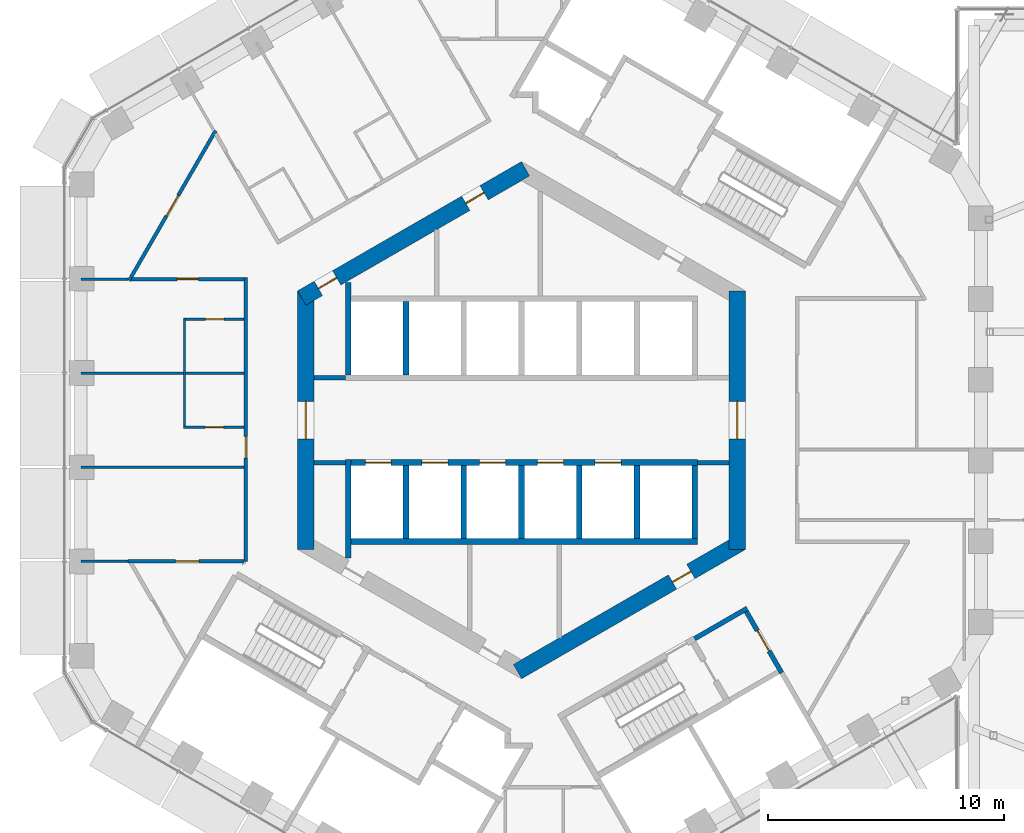
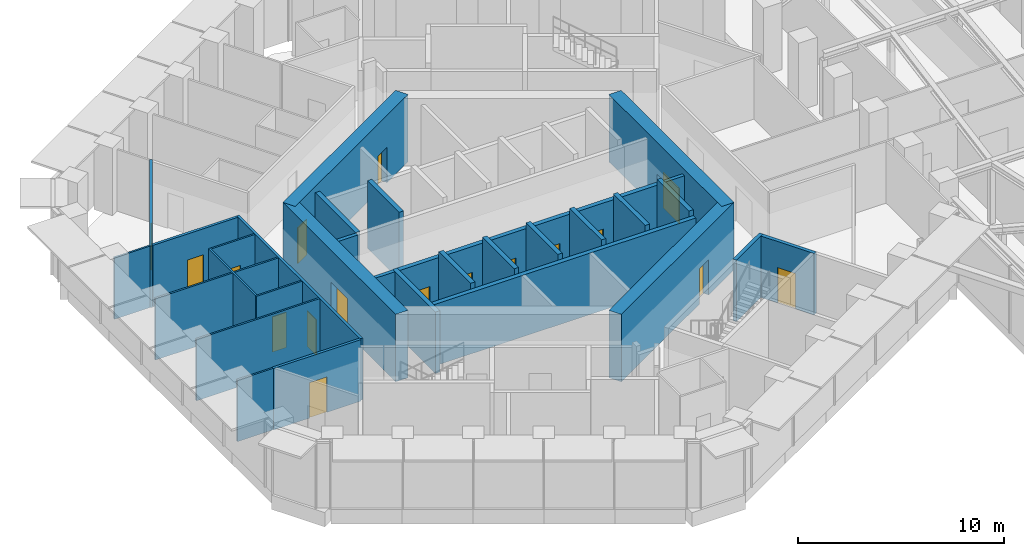
# One storey, part 17 of 24: 31 walls, 17 doors, 17 openings.
"""IFC4 building model written with IfcOpenShell, lengths in metres."""

from ifc_helpers import new_model, si_unit, direction, frame, frame_2d, origin, place, context, subcontext, project, spatial, rectangle, extrude, material, layer, layer_set, type_object, element, fill, save


model = new_model("IFC4")

# Units and contexts
model_context = context("Model", 3, precision=1e-05, world=origin(), true_north=direction((0.0, 1.0)))
body_context = subcontext(model_context, "Body", "Model", "MODEL_VIEW")
ifc_project = project(units=[si_unit("LENGTHUNIT", "METRE"), si_unit("AREAUNIT", "SQUARE_METRE"), si_unit("VOLUMEUNIT", "CUBIC_METRE"), si_unit("PLANEANGLEUNIT", "RADIAN"), si_unit("MASSUNIT", "GRAM", prefix="KILO")], contexts=[model_context])

# Site, building, storey
site_placement = place(None, origin())
site = spatial("IfcSite", under=ifc_project, at=site_placement, CompositionType="ELEMENT")
building_placement = place(site_placement, origin())
building = spatial("IfcBuilding", under=site, at=building_placement, Name="Ayvan Gate Tower", CompositionType="ELEMENT")
storey_placement = place(building_placement, frame((0.0, 0.0, 128.5)))
storey = spatial("IfcBuildingStorey", under=building, at=storey_placement, Name="L34", CompositionType="ELEMENT", Elevation=128.5)

# Wall, opening, door
ifc_material_1 = material(Name="Concrete C70/85", Category="concrete")
ifc_layer_1 = layer(ifc_material_1, 0.699951171875)
ifc_layer_set_1 = layer_set([ifc_layer_1], Name="Concrete C70/85")
wall_type_1 = type_object("IfcWallType", Name="Core wall 700 C70/85", PredefinedType="SHEAR", material=ifc_layer_set_1)
wall_1_placement = place(storey_placement, frame((9.14990234375, -5.48486328125, 0.0), z_axis=(0.0, 0.0, 1.0), x_axis=(0.0, 1.0, 0.0)))
wall_1 = element("IfcWall", 1, at=wall_1_placement, inside=storey, type_object=wall_type_1, Name="CORE-L34-0", PredefinedType="SHEAR", context=body_context, shape_type="SweptSolid", body=[
    extrude(rectangle(XDim=10.9697265625, YDim=0.699951171875, at=frame_2d((5.48486328125, 0.0))), origin(), (0.0, 0.0, 1.0), 4.0),
])
opening_1_placement = place(wall_1_placement, frame((4.684814453125, 0.0, 0.0)))
opening_1 = element("IfcOpeningElement", 2, at=opening_1_placement, cuts=wall_1, Name="Opening L34-D49", PredefinedType="OPENING", context=body_context, shape_type="SweptSolid", body=[
    extrude(rectangle(XDim=1.60009765625, YDim=2.10009765625, at=frame_2d((0.800048828125, 1.050048828125))), frame((0.0, 0.35986328125, 0.0), z_axis=(0.0, -1.0, 0.0), x_axis=(1.0, 0.0, 0.0)), (0.0, 0.0, 1.0), 0.719970703125),
])
ifc_material_2 = material(Name="Timber door leaf", Category="wood")
door_type_1 = type_object("IfcDoorType", Name="DT-1600", OperationType="NOTDEFINED", PredefinedType="DOOR", material=ifc_material_2)
door_1_placement = place(opening_1_placement, origin())
door_1 = element("IfcDoor", 3, at=door_1_placement, inside=storey, type_object=door_type_1, Name="CD-L34-49", OperationType="SINGLE_SWING_LEFT", OverallHeight=2.10009765625, OverallWidth=1.60009765625, PredefinedType="DOOR", context=body_context, shape_type="SweptSolid", body=[
    extrude(rectangle(XDim=1.60009765625, YDim=2.10009765625, at=frame_2d((0.800048828125, 1.050048828125))), frame((0.0, 0.02490234375, 0.0), z_axis=(0.0, -1.0, 0.0), x_axis=(1.0, 0.0, 0.0)), (0.0, 0.0, 1.0), 0.050048828125),
])
fill(opening_1, door_1)

# Wall, openings, doors
wall_2_placement = place(storey_placement, frame((0.175048828125, 10.66650390625, 0.0), z_axis=(0.0, 0.0, 1.0), x_axis=(-0.866023993627, -0.500002442456, 0.0)))
wall_2 = element("IfcWall", 4, at=wall_2_placement, inside=storey, type_object=wall_type_1, Name="CORE-L34-2", PredefinedType="SHEAR", context=body_context, shape_type="SweptSolid", body=[
    extrude(rectangle(XDim=10.9697265625, YDim=0.699951171875, at=frame_2d((5.48486328125, 0.0))), origin(), (0.0, 0.0, 1.0), 4.0),
])
opening_2_placement = place(wall_2_placement, frame((9.253662109375, 0.0, 0.0)))
opening_2 = element("IfcOpeningElement", 5, at=opening_2_placement, cuts=wall_2, Name="Opening L34-D43", PredefinedType="OPENING", context=body_context, shape_type="SweptSolid", body=[
    extrude(rectangle(XDim=0.89990234375, YDim=2.10009765625, at=frame_2d((0.449951171875, 1.050048828125))), frame((0.0, 0.35986328125, 0.0), z_axis=(0.0, -1.0, 0.0), x_axis=(1.0, 0.0, 0.0)), (0.0, 0.0, 1.0), 0.719970703125),
])
opening_3_placement = place(wall_2_placement, frame((2.033203125, 0.0, 0.0)))
opening_3 = element("IfcOpeningElement", 6, at=opening_3_placement, cuts=wall_2, Name="Opening L34-D44", PredefinedType="OPENING", context=body_context, shape_type="SweptSolid", body=[
    extrude(rectangle(XDim=0.89990234375, YDim=2.10009765625, at=frame_2d((0.449951171875, 1.050048828125))), frame((0.0, 0.35986328125, 0.0), z_axis=(0.0, -1.0, 0.0), x_axis=(1.0, 0.0, 0.0)), (0.0, 0.0, 1.0), 0.719970703125),
])
door_type_2 = type_object("IfcDoorType", Name="DT-900", OperationType="NOTDEFINED", PredefinedType="DOOR", material=ifc_material_2)
door_2_placement = place(opening_2_placement, origin())
door_2 = element("IfcDoor", 7, at=door_2_placement, inside=storey, type_object=door_type_2, Name="CD-L34-43", OperationType="SINGLE_SWING_LEFT", OverallHeight=2.10009765625, OverallWidth=0.89990234375, PredefinedType="DOOR", context=body_context, shape_type="SweptSolid", body=[
    extrude(rectangle(XDim=0.89990234375, YDim=2.10009765625, at=frame_2d((0.449951171875, 1.050048828125))), frame((0.0, 0.02490234375, 0.0), z_axis=(0.0, -1.0, 0.0), x_axis=(1.0, 0.0, 0.0)), (0.0, 0.0, 1.0), 0.050048828125),
])
fill(opening_2, door_2)
door_3_placement = place(opening_3_placement, origin())
door_3 = element("IfcDoor", 8, at=door_3_placement, inside=storey, type_object=door_type_2, Name="CD-L34-44", OperationType="SINGLE_SWING_RIGHT", OverallHeight=2.10009765625, OverallWidth=0.89990234375, PredefinedType="DOOR", context=body_context, shape_type="SweptSolid", body=[
    extrude(rectangle(XDim=0.89990234375, YDim=2.10009765625, at=frame_2d((0.449951171875, 1.050048828125))), frame((0.0, 0.02490234375, 0.0), z_axis=(0.0, -1.0, 0.0), x_axis=(1.0, 0.0, 0.0)), (0.0, 0.0, 1.0), 0.050048828125),
])
fill(opening_3, door_3)

# Wall, opening, door
wall_3_placement = place(storey_placement, frame((-9.14990234375, 5.48486328125, 0.0), z_axis=(0.0, 0.0, 1.0), x_axis=(0.0, -1.0, 0.0)))
wall_3 = element("IfcWall", 9, at=wall_3_placement, inside=storey, type_object=wall_type_1, Name="CORE-L34-3", PredefinedType="SHEAR", context=body_context, shape_type="SweptSolid", body=[
    extrude(rectangle(XDim=10.9697265625, YDim=0.699951171875, at=frame_2d((5.48486328125, 0.0))), origin(), (0.0, 0.0, 1.0), 4.0),
])
opening_4_placement = place(wall_3_placement, frame((4.684814453125, 0.0, 0.0)))
opening_4 = element("IfcOpeningElement", 10, at=opening_4_placement, cuts=wall_3, Name="Opening L34-D50", PredefinedType="OPENING", context=body_context, shape_type="SweptSolid", body=[
    extrude(rectangle(XDim=1.60009765625, YDim=2.10009765625, at=frame_2d((0.800048828125, 1.050048828125))), frame((0.0, 0.35986328125, 0.0), z_axis=(0.0, -1.0, 0.0), x_axis=(1.0, 0.0, 0.0)), (0.0, 0.0, 1.0), 0.719970703125),
])
door_4_placement = place(opening_4_placement, origin())
door_4 = element("IfcDoor", 11, at=door_4_placement, inside=storey, type_object=door_type_1, Name="CD-L34-50", OperationType="SINGLE_SWING_RIGHT", OverallHeight=2.10009765625, OverallWidth=1.60009765625, PredefinedType="DOOR", context=body_context, shape_type="SweptSolid", body=[
    extrude(rectangle(XDim=1.60009765625, YDim=2.10009765625, at=frame_2d((0.800048828125, 1.050048828125))), frame((0.0, 0.02490234375, 0.0), z_axis=(0.0, -1.0, 0.0), x_axis=(1.0, 0.0, 0.0)), (0.0, 0.0, 1.0), 0.050048828125),
])
fill(opening_4, door_4)

wall_4_placement = place(storey_placement, frame((-0.175048828125, -10.66650390625, 0.0), z_axis=(0.0, 0.0, 1.0), x_axis=(0.866023993627, 0.500002442456, 0.0)))
wall_4 = element("IfcWall", 12, at=wall_4_placement, inside=storey, type_object=wall_type_1, Name="CORE-L34-5", PredefinedType="SHEAR", context=body_context, shape_type="SweptSolid", body=[
    extrude(rectangle(XDim=10.9697265625, YDim=0.699951171875, at=frame_2d((5.48486328125, 0.0))), origin(), (0.0, 0.0, 1.0), 4.0),
])
opening_5_placement = place(wall_4_placement, frame((7.598876953125, 0.0, 0.0)))
opening_5 = element("IfcOpeningElement", 13, at=opening_5_placement, cuts=wall_4, Name="Opening L34-D48", PredefinedType="OPENING", context=body_context, shape_type="SweptSolid", body=[
    extrude(rectangle(XDim=0.89990234375, YDim=2.10009765625, at=frame_2d((0.449951171875, 1.050048828125))), frame((0.0, 0.35986328125, 0.0), z_axis=(0.0, -1.0, 0.0), x_axis=(1.0, 0.0, 0.0)), (0.0, 0.0, 1.0), 0.719970703125),
])
door_5_placement = place(opening_5_placement, origin())
door_5 = element("IfcDoor", 14, at=door_5_placement, inside=storey, type_object=door_type_2, Name="CD-L34-48", OperationType="SINGLE_SWING_RIGHT", OverallHeight=2.10009765625, OverallWidth=0.89990234375, PredefinedType="DOOR", context=body_context, shape_type="SweptSolid", body=[
    extrude(rectangle(XDim=0.89990234375, YDim=2.10009765625, at=frame_2d((0.449951171875, 1.050048828125))), frame((0.0, 0.02490234375, 0.0), z_axis=(0.0, -1.0, 0.0), x_axis=(1.0, 0.0, 0.0)), (0.0, 0.0, 1.0), 0.050048828125),
])
fill(opening_5, door_5)

ifc_material_3 = material(Name="Plasterboard on steel stud", Category="steel")
ifc_layer_2 = layer(ifc_material_3, 0.14990234375)
ifc_layer_set_2 = layer_set([ifc_layer_2], Name="Plasterboard on steel stud")
wall_type_2 = type_object("IfcWallType", Name="WT-CORR-150", PredefinedType="PARTITIONING", material=ifc_layer_set_2)
wall_5_placement = place(storey_placement, frame((-16.686279296875, -5.9853515625, 0.0), z_axis=(0.0, 0.0, 1.0), x_axis=(1.0, 0.0, 0.0)))
wall_5 = element("IfcWall", 15, at=wall_5_placement, inside=storey, type_object=wall_type_2, Name="IW-L34-000", PredefinedType="PARTITIONING", context=body_context, shape_type="SweptSolid", body=[
    extrude(rectangle(XDim=4.916748046875, YDim=0.14990234375, at=frame_2d((2.45849609375, 0.0))), origin(), (0.0, 0.0, 1.0), 3.64990234375),
])
opening_6_placement = place(wall_5_placement, frame((2.01318359375, 0.0, 0.0)))
opening_6 = element("IfcOpeningElement", 16, at=opening_6_placement, cuts=wall_5, Name="Opening L34-D24", PredefinedType="OPENING", context=body_context, shape_type="SweptSolid", body=[
    extrude(rectangle(XDim=1.0, YDim=2.10009765625, at=frame_2d((0.5, 1.050048828125))), frame((0.0, 0.0849609375, 0.0), z_axis=(0.0, -1.0, 0.0), x_axis=(1.0, 0.0, 0.0)), (0.0, 0.0, 1.0), 0.169921875),
])
door_type_3 = type_object("IfcDoorType", Name="DT-1000", OperationType="NOTDEFINED", PredefinedType="DOOR", material=ifc_material_2)
door_6_placement = place(opening_6_placement, origin())
door_6 = element("IfcDoor", 17, at=door_6_placement, inside=storey, type_object=door_type_3, Name="ID-L34-024", OperationType="SINGLE_SWING_RIGHT", OverallHeight=2.10009765625, OverallWidth=1.0, PredefinedType="DOOR", context=body_context, shape_type="SweptSolid", body=[
    extrude(rectangle(XDim=1.0, YDim=2.10009765625, at=frame_2d((0.5, 1.050048828125))), frame((0.0, 0.02490234375, 0.0), z_axis=(0.0, -1.0, 0.0), x_axis=(1.0, 0.0, 0.0)), (0.0, 0.0, 1.0), 0.050048828125),
])
fill(opening_6, door_6)

wall_6_placement = place(storey_placement, frame((-16.648681640625, 5.92041015625, 0.0), z_axis=(0.0, 0.0, 1.0), x_axis=(0.500003458512, 0.866023407002, 0.0)))
wall_6 = element("IfcWall", 18, at=wall_6_placement, inside=storey, type_object=wall_type_2, Name="IW-L34-002", PredefinedType="PARTITIONING", context=body_context, shape_type="SweptSolid", body=[
    extrude(rectangle(XDim=7.34521484375, YDim=0.14990234375, at=frame_2d((3.672607421875, 0.0))), origin(), (0.0, 0.0, 1.0), 3.64990234375),
])
opening_7_placement = place(wall_6_placement, frame((3.172607421875, 0.0, 0.0)))
opening_7 = element("IfcOpeningElement", 19, at=opening_7_placement, cuts=wall_6, Name="Opening L34-D19", PredefinedType="OPENING", context=body_context, shape_type="SweptSolid", body=[
    extrude(rectangle(XDim=1.0, YDim=2.10009765625, at=frame_2d((0.5, 1.050048828125))), frame((0.0, 0.0849609375, 0.0), z_axis=(0.0, -1.0, 0.0), x_axis=(1.0, 0.0, 0.0)), (0.0, 0.0, 1.0), 0.169921875),
])
door_7_placement = place(opening_7_placement, origin())
door_7 = element("IfcDoor", 20, at=door_7_placement, inside=storey, type_object=door_type_3, Name="ID-L34-019", OperationType="SINGLE_SWING_LEFT", OverallHeight=2.10009765625, OverallWidth=1.0, PredefinedType="DOOR", context=body_context, shape_type="SweptSolid", body=[
    extrude(rectangle(XDim=1.0, YDim=2.10009765625, at=frame_2d((0.5, 1.050048828125))), frame((0.0, 0.02490234375, 0.0), z_axis=(0.0, -1.0, 0.0), x_axis=(1.0, 0.0, 0.0)), (0.0, 0.0, 1.0), 0.050048828125),
])
fill(opening_7, door_7)

wall_7_placement = place(storey_placement, frame((-11.699951171875, 6.060302734375, 0.0), z_axis=(0.0, 0.0, 1.0), x_axis=(0.0, -1.0, 0.0)))
wall_7 = element("IfcWall", 21, at=wall_7_placement, inside=storey, type_object=wall_type_2, Name="IW-L34-014", PredefinedType="PARTITIONING", context=body_context, shape_type="SweptSolid", body=[
    extrude(rectangle(XDim=12.045654296875, YDim=0.14990234375, at=frame_2d((6.02294921875, 0.0))), origin(), (0.0, 0.0, 1.0), 3.64990234375),
])
opening_8_placement = place(wall_7_placement, frame((6.75537109375, 0.0, 0.0)))
opening_8 = element("IfcOpeningElement", 22, at=opening_8_placement, cuts=wall_7, Name="Opening L34-D22", PredefinedType="OPENING", context=body_context, shape_type="SweptSolid", body=[
    extrude(rectangle(XDim=0.89990234375, YDim=2.10009765625, at=frame_2d((0.449951171875, 1.050048828125))), frame((0.0, 0.0849609375, 0.0), z_axis=(0.0, -1.0, 0.0), x_axis=(1.0, 0.0, 0.0)), (0.0, 0.0, 1.0), 0.169921875),
])
door_8_placement = place(opening_8_placement, origin())
door_8 = element("IfcDoor", 23, at=door_8_placement, inside=storey, type_object=door_type_2, Name="ID-L34-022", OperationType="SINGLE_SWING_RIGHT", OverallHeight=2.10009765625, OverallWidth=0.89990234375, PredefinedType="DOOR", context=body_context, shape_type="SweptSolid", body=[
    extrude(rectangle(XDim=0.89990234375, YDim=2.10009765625, at=frame_2d((0.449951171875, 1.050048828125))), frame((0.0, 0.02490234375, 0.0), z_axis=(0.0, -1.0, 0.0), x_axis=(1.0, 0.0, 0.0)), (0.0, 0.0, 1.0), 0.050048828125),
])
fill(opening_8, door_8)

wall_8_placement = place(storey_placement, frame((-11.77490234375, 5.9853515625, 0.0), z_axis=(0.0, 0.0, 1.0), x_axis=(-1.0, 0.0, 0.0)))
wall_8 = element("IfcWall", 24, at=wall_8_placement, inside=storey, type_object=wall_type_2, Name="IW-L34-016", PredefinedType="PARTITIONING", context=body_context, shape_type="SweptSolid", body=[
    extrude(rectangle(XDim=4.76123046875, YDim=0.14990234375, at=frame_2d((2.380615234375, 0.0))), origin(), (0.0, 0.0, 1.0), 3.64990234375),
])
opening_9_placement = place(wall_8_placement, frame((1.9306640625, 0.0, 0.0)))
opening_9 = element("IfcOpeningElement", 25, at=opening_9_placement, cuts=wall_8, Name="Opening L34-D20", PredefinedType="OPENING", context=body_context, shape_type="SweptSolid", body=[
    extrude(rectangle(XDim=0.89990234375, YDim=2.10009765625, at=frame_2d((0.449951171875, 1.050048828125))), frame((0.0, 0.0849609375, 0.0), z_axis=(0.0, -1.0, 0.0), x_axis=(1.0, 0.0, 0.0)), (0.0, 0.0, 1.0), 0.169921875),
])
door_9_placement = place(opening_9_placement, origin())
door_9 = element("IfcDoor", 26, at=door_9_placement, inside=storey, type_object=door_type_2, Name="ID-L34-020", OperationType="SINGLE_SWING_RIGHT", OverallHeight=2.10009765625, OverallWidth=0.89990234375, PredefinedType="DOOR", context=body_context, shape_type="SweptSolid", body=[
    extrude(rectangle(XDim=0.89990234375, YDim=2.10009765625, at=frame_2d((0.449951171875, 1.050048828125))), frame((0.0, 0.02490234375, 0.0), z_axis=(0.0, -1.0, 0.0), x_axis=(1.0, 0.0, 0.0)), (0.0, 0.0, 1.0), 0.050048828125),
])
fill(opening_9, door_9)

# Walls
ifc_layer_3 = layer(ifc_material_3, 0.10009765625)
ifc_layer_set_3 = layer_set([ifc_layer_3], Name="Plasterboard on steel stud")
wall_type_3 = type_object("IfcWallType", Name="WT-PART-100", PredefinedType="PARTITIONING", material=ifc_layer_set_3)
wall_9_placement = place(storey_placement, frame((-16.686279296875, 5.9853515625, 0.0), z_axis=(0.0, 0.0, 1.0), x_axis=(-1.0, 0.0, 0.0)))
element("IfcWall", 27, at=wall_9_placement, inside=storey, type_object=wall_type_3, Name="IW-L34-001", PredefinedType="PARTITIONING", context=body_context, shape_type="SweptSolid", body=[
    extrude(rectangle(XDim=2.0068359375, YDim=0.10009765625, at=frame_2d((1.00341796875, 0.0))), origin(), (0.0, 0.0, 1.0), 3.64990234375),
])
wall_10_placement = place(storey_placement, frame((-16.68603515625, -5.9853515625, 0.0), z_axis=(0.0, 0.0, 1.0), x_axis=(-1.0, 0.0, 0.0)))
element("IfcWall", 28, at=wall_10_placement, inside=storey, type_object=wall_type_3, Name="IW-L34-003", PredefinedType="PARTITIONING", context=body_context, shape_type="SweptSolid", body=[
    extrude(rectangle(XDim=2.007080078125, YDim=0.10009765625, at=frame_2d((1.00341796875, 0.0))), origin(), (0.0, 0.0, 1.0), 3.64990234375),
])

# Wall, opening, door
wall_11_placement = place(storey_placement, frame((-14.35009765625, -0.295166015625, 0.0), z_axis=(0.0, 0.0, 1.0), x_axis=(1.0, 0.0, 0.0)))
wall_11 = element("IfcWall", 29, at=wall_11_placement, inside=storey, type_object=wall_type_3, Name="IW-L34-005", PredefinedType="PARTITIONING", context=body_context, shape_type="SweptSolid", body=[
    extrude(rectangle(XDim=2.5751953125, YDim=0.10009765625, at=frame_2d((1.28759765625, 0.0))), origin(), (0.0, 0.0, 1.0), 3.64990234375),
])
opening_10_placement = place(wall_11_placement, frame((0.91259765625, 0.0, 0.0)))
opening_10 = element("IfcOpeningElement", 30, at=opening_10_placement, cuts=wall_11, Name="Opening L34-D23", PredefinedType="OPENING", context=body_context, shape_type="SweptSolid", body=[
    extrude(rectangle(XDim=0.800048828125, YDim=2.10009765625, at=frame_2d((0.39990234375, 1.050048828125))), frame((0.0, 0.06005859375, 0.0), z_axis=(0.0, -1.0, 0.0), x_axis=(1.0, 0.0, 0.0)), (0.0, 0.0, 1.0), 0.1201171875),
])
door_type_4 = type_object("IfcDoorType", Name="DT-800", OperationType="NOTDEFINED", PredefinedType="DOOR", material=ifc_material_2)
door_10_placement = place(opening_10_placement, origin())
door_10 = element("IfcDoor", 31, at=door_10_placement, inside=storey, type_object=door_type_4, Name="ID-L34-023", OperationType="SINGLE_SWING_LEFT", OverallHeight=2.10009765625, OverallWidth=0.800048828125, PredefinedType="DOOR", context=body_context, shape_type="SweptSolid", body=[
    extrude(rectangle(XDim=0.800048828125, YDim=2.10009765625, at=frame_2d((0.39990234375, 1.050048828125))), frame((0.0, 0.02490234375, 0.0), z_axis=(0.0, -1.0, 0.0), x_axis=(1.0, 0.0, 0.0)), (0.0, 0.0, 1.0), 0.050048828125),
])
fill(opening_10, door_10)

# Walls
wall_12_placement = place(storey_placement, frame((-14.300048828125, -0.2451171875, 0.0), z_axis=(0.0, 0.0, 1.0), x_axis=(0.0, 1.0, 0.0)))
element("IfcWall", 32, at=wall_12_placement, inside=storey, type_object=wall_type_3, Name="IW-L34-006", PredefinedType="PARTITIONING", context=body_context, shape_type="SweptSolid", body=[
    extrude(rectangle(XDim=4.580322265625, YDim=0.10009765625, at=frame_2d((2.2900390625, 0.0))), origin(), (0.0, 0.0, 1.0), 3.64990234375),
])
for number, where, z_axis, x_axis, name in (
    (33, (-18.693115234375, 1.9951171875, 0.0), (0.0, 0.0, 1.0), (1.0, 0.0, 0.0), "IW-L34-007"),
    (34, (-11.77490234375, -1.9951171875, 0.0), (0.0, 0.0, 1.0), (-1.0, 0.0, 0.0), "IW-L34-013"),
):
    element("IfcWall", number, at=place(storey_placement, frame(where, z_axis=z_axis, x_axis=x_axis)), inside=storey, type_object=wall_type_3, Name=name, PredefinedType="PARTITIONING", context=body_context, shape_type="SweptSolid", body=[
        extrude(rectangle(XDim=6.918212890625, YDim=0.10009765625, at=frame_2d((3.458984375, 0.0))), origin(), (0.0, 0.0, 1.0), 3.64990234375),
    ])

# Wall, opening, door
wall_13_placement = place(storey_placement, frame((-11.77490234375, 4.285400390625, 0.0), z_axis=(0.0, 0.0, 1.0), x_axis=(-1.0, 0.0, 0.0)))
wall_13 = element("IfcWall", 35, at=wall_13_placement, inside=storey, type_object=wall_type_3, Name="IW-L34-015", PredefinedType="PARTITIONING", context=body_context, shape_type="SweptSolid", body=[
    extrude(rectangle(XDim=2.47509765625, YDim=0.10009765625, at=frame_2d((1.237548828125, 0.0))), origin(), (0.0, 0.0, 1.0), 3.64990234375),
])
opening_11_placement = place(wall_13_placement, frame((0.83740234375, 0.0, 0.0)))
opening_11 = element("IfcOpeningElement", 36, at=opening_11_placement, cuts=wall_13, Name="Opening L34-D21", PredefinedType="OPENING", context=body_context, shape_type="SweptSolid", body=[
    extrude(rectangle(XDim=0.800048828125, YDim=2.10009765625, at=frame_2d((0.39990234375, 1.050048828125))), frame((0.0, 0.06005859375, 0.0), z_axis=(0.0, -1.0, 0.0), x_axis=(1.0, 0.0, 0.0)), (0.0, 0.0, 1.0), 0.1201171875),
])
door_11_placement = place(opening_11_placement, origin())
door_11 = element("IfcDoor", 37, at=door_11_placement, inside=storey, type_object=door_type_4, Name="ID-L34-021", OperationType="SINGLE_SWING_LEFT", OverallHeight=2.10009765625, OverallWidth=0.800048828125, PredefinedType="DOOR", context=body_context, shape_type="SweptSolid", body=[
    extrude(rectangle(XDim=0.800048828125, YDim=2.10009765625, at=frame_2d((0.39990234375, 1.050048828125))), frame((0.0, 0.02490234375, 0.0), z_axis=(0.0, -1.0, 0.0), x_axis=(1.0, 0.0, 0.0)), (0.0, 0.0, 1.0), 0.050048828125),
])
fill(opening_11, door_11)

# Walls
ifc_layer_4 = layer(ifc_material_3, 0.199951171875)
ifc_layer_set_4 = layer_set([ifc_layer_4], Name="Plasterboard on steel stud")
wall_type_4 = type_object("IfcWallType", Name="WT-RATED-200", PredefinedType="PARTITIONING", material=ifc_layer_set_4)
for number, where, z_axis, x_axis, name in (
    (38, (-8.800048828125, 1.800048828125, 0.0), (0.0, 0.0, 1.0), (1.0, 0.0, 0.0), "IW-L34-021"),
    (39, (-7.474853515625, -1.800048828125, 0.0), (0.0, 0.0, 1.0), (-1.0, 0.0, 0.0), "IW-L34-030"),
):
    element("IfcWall", number, at=place(storey_placement, frame(where, z_axis=z_axis, x_axis=x_axis)), inside=storey, type_object=wall_type_4, Name=name, PredefinedType="PARTITIONING", context=body_context, shape_type="SweptSolid", body=[
        extrude(rectangle(XDim=1.3251953125, YDim=0.199951171875, at=frame_2d((0.66259765625, 0.0))), origin(), (0.0, 0.0, 1.0), 3.64990234375),
    ])
wall_14_placement = place(storey_placement, frame((7.343994140625, -9.27001953125, 0.0), z_axis=(0.0, 0.0, 1.0), x_axis=(0.866005588531, 0.500034319456, 0.0)))
element("IfcWall", 40, at=wall_14_placement, inside=storey, type_object=wall_type_4, Name="IW-L34-089", PredefinedType="PARTITIONING", context=body_context, shape_type="SweptSolid", body=[
    extrude(rectangle(XDim=2.574951171875, YDim=0.199951171875, at=frame_2d((1.28759765625, 0.0))), origin(), (0.0, 0.0, 1.0), 3.64990234375),
])
wall_15_placement = place(storey_placement, frame((8.800048828125, -1.800048828125, 0.0), z_axis=(0.0, 0.0, 1.0), x_axis=(-1.0, 0.0, 0.0)))
element("IfcWall", 41, at=wall_15_placement, inside=storey, type_object=wall_type_4, Name="IW-L34-096", PredefinedType="PARTITIONING", context=body_context, shape_type="SweptSolid", body=[
    extrude(rectangle(XDim=1.3251953125, YDim=0.199951171875, at=frame_2d((0.66259765625, 0.0))), origin(), (0.0, 0.0, 1.0), 3.64990234375),
])

# Wall, opening, door
wall_16_placement = place(storey_placement, frame((9.537353515625, -8.119140625, 0.0), z_axis=(0.0, 0.0, 1.0), x_axis=(0.499990139034, -0.866031096941, 0.0)))
wall_16 = element("IfcWall", 42, at=wall_16_placement, inside=storey, type_object=wall_type_4, Name="IW-L34-097", PredefinedType="PARTITIONING", context=body_context, shape_type="SweptSolid", body=[
    extrude(rectangle(XDim=3.0, YDim=0.199951171875, at=frame_2d((1.5, 0.0))), origin(), (0.0, 0.0, 1.0), 3.64990234375),
])
opening_12_placement = place(wall_16_placement, frame((0.93505859375, 0.0, 0.0)))
opening_12 = element("IfcOpeningElement", 43, at=opening_12_placement, cuts=wall_16, Name="Opening L34-D15", PredefinedType="OPENING", context=body_context, shape_type="SweptSolid", body=[
    extrude(rectangle(XDim=1.0, YDim=2.10009765625, at=frame_2d((0.5, 1.050048828125))), frame((0.0, 0.10986328125, 0.0), z_axis=(0.0, -1.0, 0.0), x_axis=(1.0, 0.0, 0.0)), (0.0, 0.0, 1.0), 0.219970703125),
])
door_12_placement = place(opening_12_placement, origin())
door_12 = element("IfcDoor", 44, at=door_12_placement, inside=storey, type_object=door_type_3, Name="ID-L34-015", OperationType="SINGLE_SWING_LEFT", OverallHeight=2.10009765625, OverallWidth=1.0, PredefinedType="DOOR", context=body_context, shape_type="SweptSolid", body=[
    extrude(rectangle(XDim=1.0, YDim=2.10009765625, at=frame_2d((0.5, 1.050048828125))), frame((0.0, 0.02490234375, 0.0), z_axis=(0.0, -1.0, 0.0), x_axis=(1.0, 0.0, 0.0)), (0.0, 0.0, 1.0), 0.050048828125),
])
fill(opening_12, door_12)

# Walls
ifc_material_4 = material(Name="Concrete C50/60", Category="concrete")
ifc_layer_5 = layer(ifc_material_4, 0.25)
ifc_layer_set_5 = layer_set([ifc_layer_5], Name="Concrete C50/60")
wall_type_5 = type_object("IfcWallType", Name="WT-RC-250", PredefinedType="SHEAR", material=ifc_layer_set_5)
wall_17_placement = place(storey_placement, frame((-7.35009765625, -5.845703125, 0.0), z_axis=(0.0, 0.0, 1.0), x_axis=(0.0, 1.0, 0.0)))
element("IfcWall", 45, at=wall_17_placement, inside=storey, type_object=wall_type_5, Name="IW-L34-027", PredefinedType="SHEAR", context=body_context, shape_type="SweptSolid", body=[
    extrude(rectangle(XDim=4.170654296875, YDim=0.25, at=frame_2d((2.08544921875, 0.0))), origin(), (0.0, 0.0, 1.0), 3.64990234375),
])
wall_18_placement = place(storey_placement, frame((-7.35009765625, 1.925048828125, 0.0), z_axis=(0.0, 0.0, 1.0), x_axis=(0.0, 1.0, 0.0)))
element("IfcWall", 46, at=wall_18_placement, inside=storey, type_object=wall_type_5, Name="IW-L34-028", PredefinedType="SHEAR", context=body_context, shape_type="SweptSolid", body=[
    extrude(rectangle(XDim=3.920654296875, YDim=0.25, at=frame_2d((1.96044921875, 0.0))), origin(), (0.0, 0.0, 1.0), 3.64990234375),
])
wall_19_placement = place(storey_placement, frame((-7.22509765625, -5.14990234375, 0.0), z_axis=(0.0, 0.0, 1.0), x_axis=(1.0, 0.0, 0.0)))
element("IfcWall", 47, at=wall_19_placement, inside=storey, type_object=wall_type_5, Name="IW-L34-037", PredefinedType="SHEAR", context=body_context, shape_type="SweptSolid", body=[
    extrude(rectangle(XDim=14.7001953125, YDim=0.25, at=frame_2d((7.35009765625, 0.0))), origin(), (0.0, 0.0, 1.0), 3.64990234375),
])
for number, where, z_axis, x_axis, name in (
    (48, (-4.89990234375, -1.925048828125, 0.0), (0.0, 0.0, 1.0), (0.0, -1.0, 0.0), "IW-L34-038"),
    (49, (-4.89990234375, 5.02490234375, 0.0), (0.0, 0.0, 1.0), (0.0, -1.0, 0.0), "IW-L34-039"),
):
    element("IfcWall", number, at=place(storey_placement, frame(where, z_axis=z_axis, x_axis=x_axis)), inside=storey, type_object=wall_type_5, Name=name, PredefinedType="SHEAR", context=body_context, shape_type="SweptSolid", body=[
        extrude(rectangle(XDim=3.099853515625, YDim=0.25, at=frame_2d((1.5498046875, 0.0))), origin(), (0.0, 0.0, 1.0), 4.0),
    ])

# Wall, openings, doors
wall_20_placement = place(storey_placement, frame((-7.22509765625, -1.800048828125, 0.0), z_axis=(0.0, 0.0, 1.0), x_axis=(1.0, 0.0, 0.0)))
wall_20 = element("IfcWall", 50, at=wall_20_placement, inside=storey, type_object=wall_type_5, Name="IW-L34-040", PredefinedType="SHEAR", context=body_context, shape_type="SweptSolid", body=[
    extrude(rectangle(XDim=14.7001953125, YDim=0.25, at=frame_2d((7.35009765625, 0.0))), origin(), (0.0, 0.0, 1.0), 3.64990234375),
])
opening_13_placement = place(wall_20_placement, frame((0.597412109375, 0.0, 0.0)))
opening_13 = element("IfcOpeningElement", 51, at=opening_13_placement, cuts=wall_20, Name="Opening L34-LD-LR1", PredefinedType="OPENING", context=body_context, shape_type="SweptSolid", body=[
    extrude(rectangle(XDim=1.10009765625, YDim=2.10009765625, at=frame_2d((0.550048828125, 1.050048828125))), frame((0.0, 0.135009765625, 0.0), z_axis=(0.0, -1.0, 0.0), x_axis=(1.0, 0.0, 0.0)), (0.0, 0.0, 1.0), 0.27001953125),
])
opening_14_placement = place(wall_20_placement, frame((3.0, 0.0, 0.0)))
opening_14 = element("IfcOpeningElement", 52, at=opening_14_placement, cuts=wall_20, Name="Opening L34-LD-LR2", PredefinedType="OPENING", context=body_context, shape_type="SweptSolid", body=[
    extrude(rectangle(XDim=1.10009765625, YDim=2.10009765625, at=frame_2d((0.550048828125, 1.050048828125))), frame((0.0, 0.135009765625, 0.0), z_axis=(0.0, -1.0, 0.0), x_axis=(1.0, 0.0, 0.0)), (0.0, 0.0, 1.0), 0.27001953125),
])
opening_15_placement = place(wall_20_placement, frame((5.4501953125, 0.0, 0.0)))
opening_15 = element("IfcOpeningElement", 53, at=opening_15_placement, cuts=wall_20, Name="Opening L34-LD-LR3", PredefinedType="OPENING", context=body_context, shape_type="SweptSolid", body=[
    extrude(rectangle(XDim=1.10009765625, YDim=2.10009765625, at=frame_2d((0.550048828125, 1.050048828125))), frame((0.0, 0.135009765625, 0.0), z_axis=(0.0, -1.0, 0.0), x_axis=(1.0, 0.0, 0.0)), (0.0, 0.0, 1.0), 0.27001953125),
])
opening_16_placement = place(wall_20_placement, frame((7.900146484375, 0.0, 0.0)))
opening_16 = element("IfcOpeningElement", 54, at=opening_16_placement, cuts=wall_20, Name="Opening L34-LD-LR4", PredefinedType="OPENING", context=body_context, shape_type="SweptSolid", body=[
    extrude(rectangle(XDim=1.10009765625, YDim=2.10009765625, at=frame_2d((0.550048828125, 1.050048828125))), frame((0.0, 0.135009765625, 0.0), z_axis=(0.0, -1.0, 0.0), x_axis=(1.0, 0.0, 0.0)), (0.0, 0.0, 1.0), 0.27001953125),
])
opening_17_placement = place(wall_20_placement, frame((10.35009765625, 0.0, 0.0)))
opening_17 = element("IfcOpeningElement", 55, at=opening_17_placement, cuts=wall_20, Name="Opening L34-LD-SV", PredefinedType="OPENING", context=body_context, shape_type="SweptSolid", body=[
    extrude(rectangle(XDim=1.10009765625, YDim=2.10009765625, at=frame_2d((0.550048828125, 1.050048828125))), frame((0.0, 0.135009765625, 0.0), z_axis=(0.0, -1.0, 0.0), x_axis=(1.0, 0.0, 0.0)), (0.0, 0.0, 1.0), 0.27001953125),
])
ifc_material_5 = material(Name="Stainless steel landing door", Category="steel")
door_type_5 = type_object("IfcDoorType", Name="DT-LANDING-1100", OperationType="SLIDING_TO_LEFT", PredefinedType="DOOR", material=ifc_material_5)
door_13_placement = place(opening_13_placement, origin())
door_13 = element("IfcDoor", 56, at=door_13_placement, inside=storey, type_object=door_type_5, Name="ID-L34-001", OperationType="SLIDING_TO_LEFT", OverallHeight=2.10009765625, OverallWidth=1.10009765625, PredefinedType="DOOR", context=body_context, shape_type="SweptSolid", body=[
    extrude(rectangle(XDim=1.10009765625, YDim=2.10009765625, at=frame_2d((0.550048828125, 1.050048828125))), frame((0.0, 0.02490234375, 0.0), z_axis=(0.0, -1.0, 0.0), x_axis=(1.0, 0.0, 0.0)), (0.0, 0.0, 1.0), 0.050048828125),
])
fill(opening_13, door_13)
door_14_placement = place(opening_14_placement, origin())
door_14 = element("IfcDoor", 57, at=door_14_placement, inside=storey, type_object=door_type_5, Name="ID-L34-002", OperationType="SLIDING_TO_LEFT", OverallHeight=2.10009765625, OverallWidth=1.10009765625, PredefinedType="DOOR", context=body_context, shape_type="SweptSolid", body=[
    extrude(rectangle(XDim=1.10009765625, YDim=2.10009765625, at=frame_2d((0.550048828125, 1.050048828125))), frame((0.0, 0.02490234375, 0.0), z_axis=(0.0, -1.0, 0.0), x_axis=(1.0, 0.0, 0.0)), (0.0, 0.0, 1.0), 0.050048828125),
])
fill(opening_14, door_14)
door_15_placement = place(opening_15_placement, origin())
door_15 = element("IfcDoor", 58, at=door_15_placement, inside=storey, type_object=door_type_5, Name="ID-L34-003", OperationType="SLIDING_TO_LEFT", OverallHeight=2.10009765625, OverallWidth=1.10009765625, PredefinedType="DOOR", context=body_context, shape_type="SweptSolid", body=[
    extrude(rectangle(XDim=1.10009765625, YDim=2.10009765625, at=frame_2d((0.550048828125, 1.050048828125))), frame((0.0, 0.02490234375, 0.0), z_axis=(0.0, -1.0, 0.0), x_axis=(1.0, 0.0, 0.0)), (0.0, 0.0, 1.0), 0.050048828125),
])
fill(opening_15, door_15)
door_16_placement = place(opening_16_placement, origin())
door_16 = element("IfcDoor", 59, at=door_16_placement, inside=storey, type_object=door_type_5, Name="ID-L34-004", OperationType="SLIDING_TO_LEFT", OverallHeight=2.10009765625, OverallWidth=1.10009765625, PredefinedType="DOOR", context=body_context, shape_type="SweptSolid", body=[
    extrude(rectangle(XDim=1.10009765625, YDim=2.10009765625, at=frame_2d((0.550048828125, 1.050048828125))), frame((0.0, 0.02490234375, 0.0), z_axis=(0.0, -1.0, 0.0), x_axis=(1.0, 0.0, 0.0)), (0.0, 0.0, 1.0), 0.050048828125),
])
fill(opening_16, door_16)
door_17_placement = place(opening_17_placement, origin())
door_17 = element("IfcDoor", 60, at=door_17_placement, inside=storey, type_object=door_type_5, Name="ID-L34-005", OperationType="SLIDING_TO_LEFT", OverallHeight=2.10009765625, OverallWidth=1.10009765625, PredefinedType="DOOR", context=body_context, shape_type="SweptSolid", body=[
    extrude(rectangle(XDim=1.10009765625, YDim=2.10009765625, at=frame_2d((0.550048828125, 1.050048828125))), frame((0.0, 0.02490234375, 0.0), z_axis=(0.0, -1.0, 0.0), x_axis=(1.0, 0.0, 0.0)), (0.0, 0.0, 1.0), 0.050048828125),
])
fill(opening_17, door_17)

# Walls
for number, where, z_axis, x_axis, name in (
    (61, (-2.449951171875, -1.925048828125, 0.0), (0.0, 0.0, 1.0), (0.0, -1.0, 0.0), "IW-L34-047"),
    (62, (0.0, -1.925048828125, 0.0), (0.0, 0.0, 1.0), (0.0, -1.0, 0.0), "IW-L34-060"),
    (63, (2.449951171875, -1.925048828125, 0.0), (0.0, 0.0, 1.0), (0.0, -1.0, 0.0), "IW-L34-074"),
    (64, (4.89990234375, -1.925048828125, 0.0), (0.0, 0.0, 1.0), (0.0, -1.0, 0.0), "IW-L34-082"),
    (65, (7.35009765625, -1.925048828125, 0.0), (0.0, 0.0, 1.0), (0.0, -1.0, 0.0), "IW-L34-091"),
):
    element("IfcWall", number, at=place(storey_placement, frame(where, z_axis=z_axis, x_axis=x_axis)), inside=storey, type_object=wall_type_5, Name=name, PredefinedType="SHEAR", context=body_context, shape_type="SweptSolid", body=[
        extrude(rectangle(XDim=3.099853515625, YDim=0.25, at=frame_2d((1.5498046875, 0.0))), origin(), (0.0, 0.0, 1.0), 4.0),
    ])

save(model, "model.ifc")
